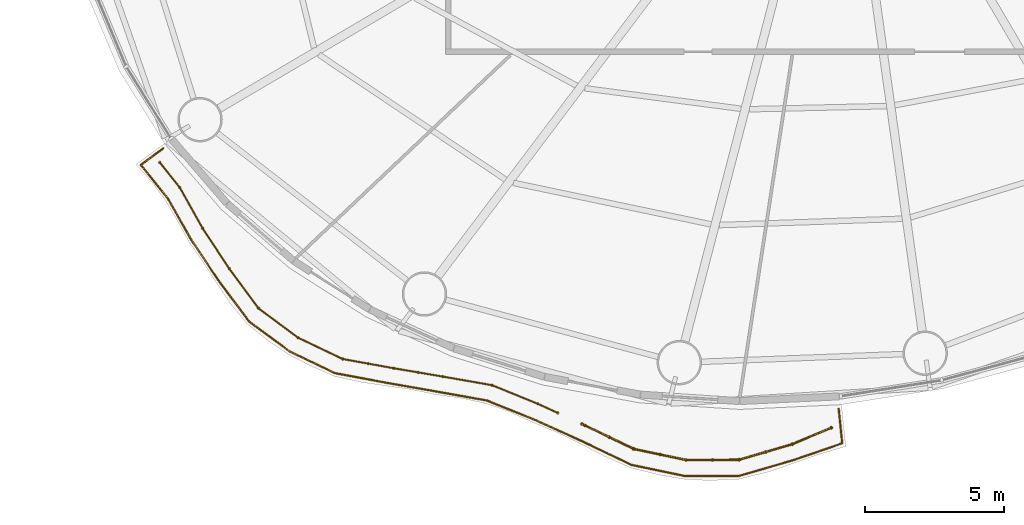
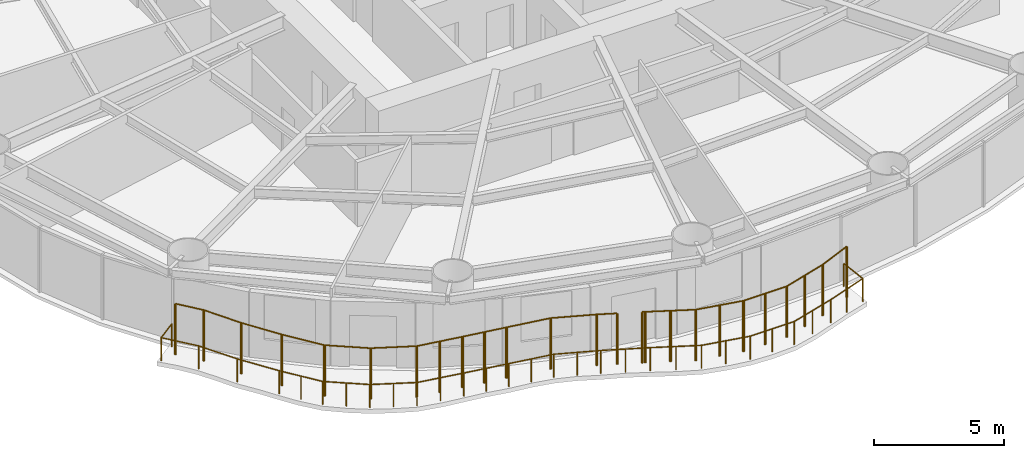
# One storey, part 11 of 14: 3 railings.
"""IFC4 building model written with IfcOpenShell, lengths in metres."""

from ifc_helpers import new_model, si_unit, direction, frame, origin, origin_2d, place, context, subcontext, project, spatial, circle, extrude, material, type_object, element, save


model = new_model("IFC4")

# Units and contexts
model_context = context("Model", 3, precision=1e-05, world=origin(), true_north=direction((0.0, 1.0)))
body_context = subcontext(model_context, "Body", "Model", "MODEL_VIEW")
ifc_project = project(units=[si_unit("LENGTHUNIT", "METRE"), si_unit("AREAUNIT", "SQUARE_METRE"), si_unit("VOLUMEUNIT", "CUBIC_METRE"), si_unit("PLANEANGLEUNIT", "RADIAN"), si_unit("MASSUNIT", "GRAM", prefix="KILO")], contexts=[model_context])

# Site, building, storey
site_placement = place(None, origin())
site = spatial("IfcSite", under=ifc_project, at=site_placement, CompositionType="ELEMENT")
building_placement = place(site_placement, origin())
building = spatial("IfcBuilding", under=site, at=building_placement, Name="Vermilion Reach Broadcast Tower", CompositionType="ELEMENT")
storey_placement = place(building_placement, frame((0.0, 0.0, 106.60009765625)))
storey = spatial("IfcBuildingStorey", under=building, at=storey_placement, Name="L24", CompositionType="ELEMENT", Elevation=106.60009765625)

# Railings
ifc_material_1 = material(Name="Terracotta baguette", Category="masonry")
railing_type_1 = type_object("IfcRailingType", Name="BAGUETTE SCREEN", PredefinedType="USERDEFINED", material=ifc_material_1)
railing_1_placement = place(storey_placement, frame((-30.496826171875, -15.08203125, 0.0)))
element("IfcRailing", 1, at=railing_1_placement, inside=storey, type_object=railing_type_1, Name="Baguette screen L24 group 3 part 1", ObjectType="BAGUETTE SCREEN", PredefinedType="USERDEFINED", context=body_context, shape_type="SweptSolid", body=[
    extrude(circle(Radius=0.030029296875, at=origin_2d()), frame((0.0, 0.0, 2.369873046875), z_axis=(0.623135645475, -0.782113781581, 0.0), x_axis=(0.782113781581, 0.623135645475, 0.0)), (0.0, 0.0, 1.0), 1.16552734375),
    extrude(circle(Radius=0.030029296875, at=origin_2d()), frame((0.726318359375, -0.91162109375, 2.369873046875), z_axis=(0.488239412459, -0.872709731882, 0.0), x_axis=(0.872709731882, 0.488239412459, 0.0)), (0.0, 0.0, 1.0), 1.675048828125),
    extrude(circle(Radius=0.030029296875, at=origin_2d()), frame((1.544189453125, -2.37353515625, 2.369873046875), z_axis=(0.550810950921, -0.834630035612, 0.0), x_axis=(0.834630035612, 0.550810950921, 0.0)), (0.0, 0.0, 1.0), 1.740966796875),
    extrude(circle(Radius=0.030029296875, at=origin_2d()), frame((2.503173828125, -3.82666015625, 2.369873046875), z_axis=(0.593456559615, -0.804866021056, 0.0), x_axis=(0.804866021056, 0.593456559615, 0.0)), (0.0, 0.0, 1.0), 1.7783203125),
    extrude(circle(Radius=0.030029296875, at=origin_2d()), frame((3.55859375, -5.258056640625, 2.369873046875), z_axis=(0.803659341023, -0.595089626515, 0.0), x_axis=(0.595089626515, 0.803659341023, 0.0)), (0.0, 0.0, 1.0), 1.778076171875),
    extrude(circle(Radius=0.030029296875, at=origin_2d()), frame((4.987548828125, -6.316162109375, 2.369873046875), z_axis=(0.90234604096, -0.431012322752, 0.0), x_axis=(0.431012322752, 0.90234604096, 0.0)), (0.0, 0.0, 1.0), 1.774169921875),
    extrude(circle(Radius=0.030029296875, at=origin_2d()), frame((6.58837890625, -7.080810546875, 2.369873046875), z_axis=(0.984035022565, -0.177974926227, 0.0), x_axis=(0.177974926227, 0.984035022565, 0.0)), (0.0, 0.0, 1.0), 1.8642578125),
    extrude(circle(Radius=0.030029296875, at=origin_2d()), frame((8.4228515625, -7.41259765625, 2.369873046875), z_axis=(0.985857414799, -0.167586269384, 0.0), x_axis=(0.167586269384, 0.985857414799, 0.0)), (0.0, 0.0, 1.0), 1.800537109375),
    extrude(circle(Radius=0.030029296875, at=origin_2d()), frame((10.197998046875, -7.71435546875, 2.369873046875), z_axis=(0.985051796949, -0.172258402776, 0.0), x_axis=(0.172258402776, 0.985051796949, 0.0)), (0.0, 0.0, 1.0), 1.797119140625),
    extrude(circle(Radius=0.030029296875, at=origin_2d()), frame((11.96826171875, -8.02392578125, 2.369873046875), z_axis=(0.926179317779, -0.377083374493, 0.0), x_axis=(0.377083374493, 0.926179317779, 0.0)), (0.0, 0.0, 1.0), 1.77978515625),
    extrude(circle(Radius=0.030029296875, at=origin_2d()), frame((13.61669921875, -8.695068359375, 2.369873046875), z_axis=(0.909474475586, -0.415759760268, 0.0), x_axis=(0.415759760268, 0.909474475586, 0.0)), (0.0, 0.0, 1.0), 0.789306640625),
    extrude(circle(Radius=0.050048828125, at=origin_2d()), origin(), (0.0, 0.0, 1.0), 2.33984375),
    extrude(circle(Radius=0.050048828125, at=origin_2d()), frame((0.726318359375, -0.91162109375, 0.0)), (0.0, 0.0, 1.0), 2.33984375),
    extrude(circle(Radius=0.050048828125, at=origin_2d()), frame((1.544189453125, -2.37353515625, 0.0)), (0.0, 0.0, 1.0), 2.33984375),
    extrude(circle(Radius=0.050048828125, at=origin_2d()), frame((2.503173828125, -3.82666015625, 0.0)), (0.0, 0.0, 1.0), 2.33984375),
    extrude(circle(Radius=0.050048828125, at=origin_2d()), frame((3.55859375, -5.258056640625, 0.0)), (0.0, 0.0, 1.0), 2.33984375),
    extrude(circle(Radius=0.050048828125, at=origin_2d()), frame((4.987548828125, -6.316162109375, 0.0)), (0.0, 0.0, 1.0), 2.33984375),
    extrude(circle(Radius=0.050048828125, at=origin_2d()), frame((6.58837890625, -7.080810546875, 0.0)), (0.0, 0.0, 1.0), 2.33984375),
    extrude(circle(Radius=0.050048828125, at=origin_2d()), frame((7.505615234375, -7.24658203125, 0.0)), (0.0, 0.0, 1.0), 2.33984375),
    extrude(circle(Radius=0.050048828125, at=origin_2d()), frame((8.4228515625, -7.41259765625, 0.0)), (0.0, 0.0, 1.0), 2.33984375),
    extrude(circle(Radius=0.050048828125, at=origin_2d()), frame((9.310546875, -7.5634765625, 0.0)), (0.0, 0.0, 1.0), 2.33984375),
    extrude(circle(Radius=0.050048828125, at=origin_2d()), frame((10.197998046875, -7.71435546875, 0.0)), (0.0, 0.0, 1.0), 2.33984375),
    extrude(circle(Radius=0.050048828125, at=origin_2d()), frame((11.96826171875, -8.02392578125, 0.0)), (0.0, 0.0, 1.0), 2.33984375),
    extrude(circle(Radius=0.050048828125, at=origin_2d()), frame((13.61669921875, -8.695068359375, 0.0)), (0.0, 0.0, 1.0), 2.33984375),
    extrude(circle(Radius=0.050048828125, at=origin_2d()), frame((14.33447265625, -9.023193359375, 0.0)), (0.0, 0.0, 1.0), 2.33984375),
])
railing_2_placement = place(storey_placement, frame((-15.28759765625, -24.505126953125, 0.0)))
element("IfcRailing", 2, at=railing_2_placement, inside=storey, type_object=railing_type_1, Name="Baguette screen L24 group 3 part 2", ObjectType="BAGUETTE SCREEN", PredefinedType="USERDEFINED", context=body_context, shape_type="SweptSolid", body=[
    extrude(circle(Radius=0.030029296875, at=origin_2d()), frame((0.0, 0.0, 2.369873046875), z_axis=(0.909671364151, -0.41532879655, 0.0), x_axis=(0.41532879655, 0.909671364151, 0.0)), (0.0, 0.0, 1.0), 0.12060546875),
    extrude(circle(Radius=0.030029296875, at=origin_2d()), frame((0.109619140625, -0.050048828125, 2.369873046875), z_axis=(0.900340729912, -0.435185673088, 0.0), x_axis=(0.435185673088, 0.900340729912, 0.0)), (0.0, 0.0, 1.0), 1.938720703125),
    extrude(circle(Radius=0.030029296875, at=origin_2d()), frame((1.855224609375, -0.893798828125, 2.369873046875), z_axis=(0.978232565596, -0.207511560176, 0.0), x_axis=(0.207511560176, 0.978232565596, 0.0)), (0.0, 0.0, 1.0), 1.926025390625),
    extrude(circle(Radius=0.030029296875, at=origin_2d()), frame((3.7392578125, -1.29345703125, 2.369873046875), z_axis=(0.999994508042, 0.003314194673, 0.0), x_axis=(-0.003314194673, 0.999994508042, 0.0)), (0.0, 0.0, 1.0), 1.915283203125),
    extrude(circle(Radius=0.030029296875, at=origin_2d()), frame((5.654541015625, -1.287109375, 2.369873046875), z_axis=(0.959221316808, 0.282656090296, 0.0), x_axis=(-0.282656090296, 0.959221316808, 0.0)), (0.0, 0.0, 1.0), 1.9970703125),
    extrude(circle(Radius=0.030029296875, at=origin_2d()), frame((7.570068359375, -0.72265625, 2.369873046875), z_axis=(0.921797992615, 0.387670557061, 0.0), x_axis=(-0.387670557061, 0.921797992615, 0.0)), (0.0, 0.0, 1.0), 1.525390625),
    extrude(circle(Radius=0.050048828125, at=origin_2d()), origin(), (0.0, 0.0, 1.0), 2.33984375),
    extrude(circle(Radius=0.050048828125, at=origin_2d()), frame((0.109619140625, -0.050048828125, 0.0)), (0.0, 0.0, 1.0), 2.33984375),
    extrude(circle(Radius=0.050048828125, at=origin_2d()), frame((0.982421875, -0.471923828125, 0.0)), (0.0, 0.0, 1.0), 2.33984375),
    extrude(circle(Radius=0.050048828125, at=origin_2d()), frame((1.855224609375, -0.893798828125, 0.0)), (0.0, 0.0, 1.0), 2.33984375),
    extrude(circle(Radius=0.050048828125, at=origin_2d()), frame((2.79736328125, -1.09375, 0.0)), (0.0, 0.0, 1.0), 2.33984375),
    extrude(circle(Radius=0.050048828125, at=origin_2d()), frame((3.7392578125, -1.29345703125, 0.0)), (0.0, 0.0, 1.0), 2.33984375),
    extrude(circle(Radius=0.050048828125, at=origin_2d()), frame((4.69677734375, -1.290283203125, 0.0)), (0.0, 0.0, 1.0), 2.33984375),
    extrude(circle(Radius=0.050048828125, at=origin_2d()), frame((5.654541015625, -1.287109375, 0.0)), (0.0, 0.0, 1.0), 2.33984375),
    extrude(circle(Radius=0.050048828125, at=origin_2d()), frame((6.6123046875, -1.0048828125, 0.0)), (0.0, 0.0, 1.0), 2.33984375),
    extrude(circle(Radius=0.050048828125, at=origin_2d()), frame((7.570068359375, -0.72265625, 0.0)), (0.0, 0.0, 1.0), 2.33984375),
    extrude(circle(Radius=0.050048828125, at=origin_2d()), frame((8.97607421875, -0.13134765625, 0.0)), (0.0, 0.0, 1.0), 2.33984375),
])
ifc_material_2 = material(Name="Stainless steel 316 balustrade", Category="steel")
railing_type_2 = type_object("IfcRailingType", Name="Balcony guard 1100", PredefinedType="BALUSTRADE", material=ifc_material_2)
railing_3_placement = place(storey_placement, frame((-30.3701171875, -14.580810546875, 0.0)))
element("IfcRailing", 3, at=railing_3_placement, inside=storey, type_object=railing_type_2, Name="Balcony guard L24 group 3", PredefinedType="BALUSTRADE", context=body_context, shape_type="SweptSolid", body=[
    extrude(circle(Radius=0.02490234375, at=origin_2d()), frame((0.0, 0.0, 1.0751953125), z_axis=(-0.805824999612, -0.592153755371, 0.0), x_axis=(0.592153755371, -0.805824999612, 0.0)), (0.0, 0.0, 1.0), 1.00439453125),
    extrude(circle(Radius=0.02490234375, at=origin_2d()), frame((-0.809326171875, -0.5947265625, 1.0751953125), z_axis=(0.629458112612, -0.777034416526, 0.0), x_axis=(0.777034416526, 0.629458112612, 0.0)), (0.0, 0.0, 1.0), 1.540283203125),
    extrude(circle(Radius=0.02490234375, at=origin_2d()), frame((0.16015625, -1.79150390625, 1.0751953125), z_axis=(0.493518321679, -0.869735400089, 0.0), x_axis=(0.869735400089, 0.493518321679, 0.0)), (0.0, 0.0, 1.0), 1.717041015625),
    extrude(circle(Radius=0.02490234375, at=origin_2d()), frame((1.007568359375, -3.284912109375, 1.0751953125), z_axis=(0.555489877053, -0.831523298827, 0.0), x_axis=(0.831523298827, 0.555489877053, 0.0)), (0.0, 0.0, 1.0), 1.782958984375),
    extrude(circle(Radius=0.02490234375, at=origin_2d()), frame((1.998046875, -4.767578125, 1.0751953125), z_axis=(0.598193821321, -0.801351453567, 0.0), x_axis=(0.801351453567, 0.598193821321, 0.0)), (0.0, 0.0, 1.0), 1.818115234375),
    extrude(circle(Radius=0.02490234375, at=origin_2d()), frame((3.085693359375, -6.224609375, 1.0751953125), z_axis=(0.8041036236, -0.594489160972, 0.0), x_axis=(0.594489160972, 0.8041036236, 0.0)), (0.0, 0.0, 1.0), 1.8193359375),
    extrude(circle(Radius=0.02490234375, at=origin_2d()), frame((4.548583984375, -7.30615234375, 1.0751953125), z_axis=(0.901502044229, -0.432774842442, 0.0), x_axis=(0.432774842442, 0.901502044229, 0.0)), (0.0, 0.0, 1.0), 1.81298828125),
    extrude(circle(Radius=0.02490234375, at=origin_2d()), frame((6.18310546875, -8.0908203125, 1.0751953125), z_axis=(0.982981014172, -0.183707173995, 0.0), x_axis=(0.183707173995, 0.982981014172, 0.0)), (0.0, 0.0, 1.0), 1.90185546875),
    extrude(circle(Radius=0.02490234375, at=origin_2d()), frame((8.052490234375, -8.440185546875, 1.0751953125), z_axis=(0.985055279999, -0.172238483929, 0.0), x_axis=(0.172238483929, 0.985055279999, 0.0)), (0.0, 0.0, 1.0), 1.8369140625),
    extrude(circle(Radius=0.02490234375, at=origin_2d()), frame((9.862060546875, -8.756591796875, 1.0751953125), z_axis=(0.984490037636, -0.175440490752, 0.0), x_axis=(0.175440490752, 0.984490037636, 0.0)), (0.0, 0.0, 1.0), 1.834228515625),
    extrude(circle(Radius=0.02490234375, at=origin_2d()), frame((11.667724609375, -9.078369140625, 1.0751953125), z_axis=(0.926956837785, -0.375167990217, 0.0), x_axis=(0.375167990217, 0.926956837785, 0.0)), (0.0, 0.0, 1.0), 1.81494140625),
    extrude(circle(Radius=0.02490234375, at=origin_2d()), frame((13.35009765625, -9.75927734375, 1.0751953125), z_axis=(0.911145714816, -0.412084319494, 0.0), x_axis=(0.412084319494, 0.911145714816, 0.0)), (0.0, 0.0, 1.0), 1.906005859375),
    extrude(circle(Radius=0.02490234375, at=origin_2d()), frame((15.086669921875, -10.544677734375, 1.0751953125), z_axis=(0.902498541479, -0.430692909888, 0.0), x_axis=(0.430692909888, 0.902498541479, 0.0)), (0.0, 0.0, 1.0), 1.971435546875),
    extrude(circle(Radius=0.02490234375, at=origin_2d()), frame((16.865966796875, -11.393798828125, 1.0751953125), z_axis=(0.978642218807, -0.205570930749, 0.0), x_axis=(0.205570930749, 0.978642218807, 0.0)), (0.0, 0.0, 1.0), 1.95947265625),
    extrude(circle(Radius=0.02490234375, at=origin_2d()), frame((18.78369140625, -11.796630859375, 1.0751953125), z_axis=(0.999996536546, 0.002631899645, 0.0), x_axis=(-0.002631899645, 0.999996536546, 0.0)), (0.0, 0.0, 1.0), 1.947998046875),
    extrude(circle(Radius=0.02490234375, at=origin_2d()), frame((20.731689453125, -11.79150390625, 1.0751953125), z_axis=(0.960403379205, 0.27861326101, 0.0), x_axis=(-0.27861326101, 0.960403379205, 0.0)), (0.0, 0.0, 1.0), 2.028564453125),
    extrude(circle(Radius=0.02490234375, at=origin_2d()), frame((22.679931640625, -11.226318359375, 1.0751953125), z_axis=(0.945421547532, 0.325849808135, 0.0), x_axis=(-0.325849808135, 0.945421547532, 0.0)), (0.0, 0.0, 1.0), 1.869384765625),
    extrude(circle(Radius=0.02490234375, at=origin_2d()), frame((24.447265625, -10.6171875, 1.0751953125), z_axis=(-0.101700064216, 0.994815106911, 0.0), x_axis=(-0.994815106911, -0.101700064216, 0.0)), (0.0, 0.0, 1.0), 1.243408203125),
    extrude(circle(Radius=0.02490234375, at=origin_2d()), origin(), (0.0, 0.0, 1.0), 1.050048828125),
    extrude(circle(Radius=0.02490234375, at=origin_2d()), frame((-0.809326171875, -0.5947265625, 0.0)), (0.0, 0.0, 1.0), 1.050048828125),
    extrude(circle(Radius=0.02490234375, at=origin_2d()), frame((0.16015625, -1.79150390625, 0.0)), (0.0, 0.0, 1.0), 1.050048828125),
    extrude(circle(Radius=0.02490234375, at=origin_2d()), frame((1.007568359375, -3.284912109375, 0.0)), (0.0, 0.0, 1.0), 1.050048828125),
    extrude(circle(Radius=0.02490234375, at=origin_2d()), frame((1.998046875, -4.767578125, 0.0)), (0.0, 0.0, 1.0), 1.050048828125),
    extrude(circle(Radius=0.02490234375, at=origin_2d()), frame((2.5419921875, -5.49609375, 0.0)), (0.0, 0.0, 1.0), 1.050048828125),
    extrude(circle(Radius=0.02490234375, at=origin_2d()), frame((3.085693359375, -6.224609375, 0.0)), (0.0, 0.0, 1.0), 1.050048828125),
    extrude(circle(Radius=0.02490234375, at=origin_2d()), frame((3.817138671875, -6.765380859375, 0.0)), (0.0, 0.0, 1.0), 1.050048828125),
    extrude(circle(Radius=0.02490234375, at=origin_2d()), frame((4.548583984375, -7.30615234375, 0.0)), (0.0, 0.0, 1.0), 1.050048828125),
    extrude(circle(Radius=0.02490234375, at=origin_2d()), frame((5.36572265625, -7.698486328125, 0.0)), (0.0, 0.0, 1.0), 1.050048828125),
    extrude(circle(Radius=0.02490234375, at=origin_2d()), frame((6.18310546875, -8.0908203125, 0.0)), (0.0, 0.0, 1.0), 1.050048828125),
    extrude(circle(Radius=0.02490234375, at=origin_2d()), frame((7.11767578125, -8.265625, 0.0)), (0.0, 0.0, 1.0), 1.050048828125),
    extrude(circle(Radius=0.02490234375, at=origin_2d()), frame((8.052490234375, -8.440185546875, 0.0)), (0.0, 0.0, 1.0), 1.050048828125),
    extrude(circle(Radius=0.02490234375, at=origin_2d()), frame((8.957275390625, -8.598388671875, 0.0)), (0.0, 0.0, 1.0), 1.050048828125),
    extrude(circle(Radius=0.02490234375, at=origin_2d()), frame((9.862060546875, -8.756591796875, 0.0)), (0.0, 0.0, 1.0), 1.050048828125),
    extrude(circle(Radius=0.02490234375, at=origin_2d()), frame((10.764892578125, -8.91748046875, 0.0)), (0.0, 0.0, 1.0), 1.050048828125),
    extrude(circle(Radius=0.02490234375, at=origin_2d()), frame((11.667724609375, -9.078369140625, 0.0)), (0.0, 0.0, 1.0), 1.050048828125),
    extrude(circle(Radius=0.02490234375, at=origin_2d()), frame((12.5087890625, -9.4189453125, 0.0)), (0.0, 0.0, 1.0), 1.050048828125),
    extrude(circle(Radius=0.02490234375, at=origin_2d()), frame((13.35009765625, -9.75927734375, 0.0)), (0.0, 0.0, 1.0), 1.050048828125),
    extrude(circle(Radius=0.02490234375, at=origin_2d()), frame((14.21826171875, -10.15185546875, 0.0)), (0.0, 0.0, 1.0), 1.050048828125),
    extrude(circle(Radius=0.02490234375, at=origin_2d()), frame((15.086669921875, -10.544677734375, 0.0)), (0.0, 0.0, 1.0), 1.050048828125),
    extrude(circle(Radius=0.02490234375, at=origin_2d()), frame((15.976318359375, -10.96923828125, 0.0)), (0.0, 0.0, 1.0), 1.050048828125),
    extrude(circle(Radius=0.02490234375, at=origin_2d()), frame((16.865966796875, -11.393798828125, 0.0)), (0.0, 0.0, 1.0), 1.050048828125),
    extrude(circle(Radius=0.02490234375, at=origin_2d()), frame((17.82470703125, -11.59521484375, 0.0)), (0.0, 0.0, 1.0), 1.050048828125),
    extrude(circle(Radius=0.02490234375, at=origin_2d()), frame((18.78369140625, -11.796630859375, 0.0)), (0.0, 0.0, 1.0), 1.050048828125),
    extrude(circle(Radius=0.02490234375, at=origin_2d()), frame((19.7578125, -11.7939453125, 0.0)), (0.0, 0.0, 1.0), 1.050048828125),
    extrude(circle(Radius=0.02490234375, at=origin_2d()), frame((20.731689453125, -11.79150390625, 0.0)), (0.0, 0.0, 1.0), 1.050048828125),
    extrude(circle(Radius=0.02490234375, at=origin_2d()), frame((21.705810546875, -11.5087890625, 0.0)), (0.0, 0.0, 1.0), 1.050048828125),
    extrude(circle(Radius=0.02490234375, at=origin_2d()), frame((22.679931640625, -11.226318359375, 0.0)), (0.0, 0.0, 1.0), 1.050048828125),
    extrude(circle(Radius=0.02490234375, at=origin_2d()), frame((23.5634765625, -10.921875, 0.0)), (0.0, 0.0, 1.0), 1.050048828125),
    extrude(circle(Radius=0.02490234375, at=origin_2d()), frame((24.447265625, -10.6171875, 0.0)), (0.0, 0.0, 1.0), 1.050048828125),
    extrude(circle(Radius=0.02490234375, at=origin_2d()), frame((24.32080078125, -9.380126953125, 0.0)), (0.0, 0.0, 1.0), 1.050048828125),
])

save(model, "model.ifc")
